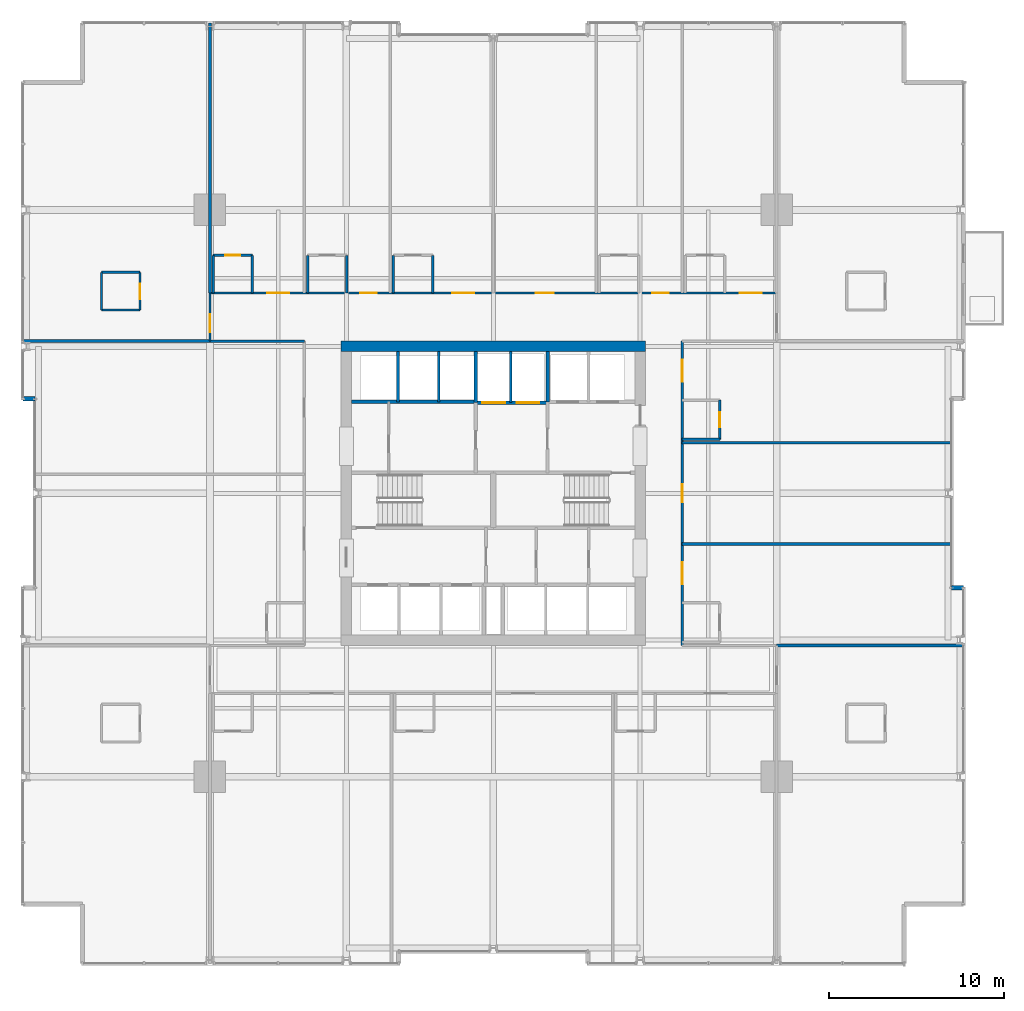
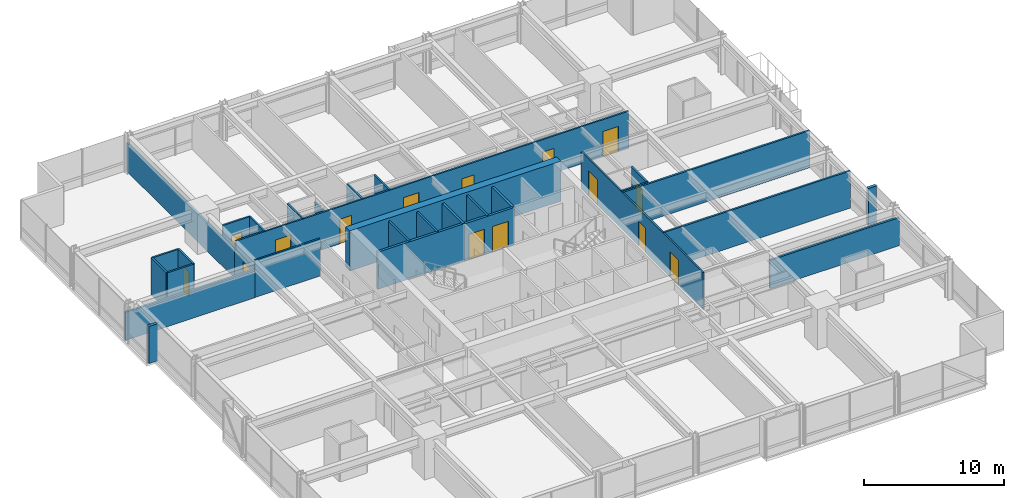
# One storey, part 32 of 38: 32 walls, 15 doors, 15 openings.
"""IFC4 building model written with IfcOpenShell, lengths in metres."""

import ifcopenshell
import ifcopenshell.guid

model = None  # the IFC model being written
_history = None  # IfcOwnerHistory: only IFC2X3 demands one
_inside = {}  # id of a spatial element -> (the spatial element, [elements in it])
_under = {}  # id of a project, library or spatial element -> (it, [spatial elements below it])
_declared = {}  # id of a project -> (the project, [libraries it declares])
_typed = {}  # id of a type object -> (the type object, [elements of that type])
_made_of = {}  # id of a material, layer set ... -> (it, [elements and type objects made of it])


def new_model(schema):
    """Start an empty IFC model of exactly this schema.

    Asked for "IFC4X3", IfcOpenShell would pick the latest addendum, in which some entities
    have other attributes; the version numbers below select the first issue.
    IFC2X3 requires an IfcOwnerHistory on every rooted entity: one is made here for all.
    """
    global model, _history
    if schema == "IFC4X3":
        model = ifcopenshell.file(schema_version=(4, 3, 0, 0))
    else:
        model = ifcopenshell.file(schema=schema)
    _inside.clear()
    _under.clear()
    _declared.clear()
    _typed.clear()
    _made_of.clear()
    _history = None
    if model.schema == "IFC2X3":
        org = make("IfcOrganization", Name="unknown")
        user = make(
            "IfcPersonAndOrganization",
            ThePerson=make("IfcPerson", FamilyName="unknown"),
            TheOrganization=org,
        )
        app = make(
            "IfcApplication",
            ApplicationDeveloper=org,
            Version="unknown",
            ApplicationFullName="unknown",
            ApplicationIdentifier="unknown",
        )
        _history = make(
            "IfcOwnerHistory",
            OwningUser=user,
            OwningApplication=app,
            ChangeAction="ADDED",
            CreationDate=0,
        )
    return model


def make(cls, **values):
    """One entity of the class cls with the attributes given. An attribute that is None is left unset."""
    return model.create_entity(
        cls, **{name: value for name, value in values.items() if value is not None}
    )


def rooted(cls, **values):
    """An entity with a GlobalId (a new one), such as an element, a storey or a relation."""
    return make(cls, GlobalId=ifcopenshell.guid.new(), OwnerHistory=_history, **values)


def si_unit(unit_type, name, prefix=None):
    """IfcSIUnit, for example si_unit("LENGTHUNIT", "METRE", prefix="MILLI")."""
    return make("IfcSIUnit", UnitType=unit_type, Prefix=prefix, Name=name)


def assignment(units):
    """IfcUnitAssignment: the units of a project."""
    return None if units is None else make("IfcUnitAssignment", Units=units)


def point(xyz):
    """IfcCartesianPoint."""
    return None if xyz is None else make("IfcCartesianPoint", Coordinates=xyz)


def direction(xyz):
    """IfcDirection."""
    return None if xyz is None else make("IfcDirection", DirectionRatios=xyz)


def frame(location, z_axis=None, x_axis=None):
    """IfcAxis2Placement3D, a coordinate frame: its origin and axes. An axis left out is left unset."""
    return make(
        "IfcAxis2Placement3D",
        Location=point(location),
        Axis=direction(z_axis),
        RefDirection=direction(x_axis),
    )


def frame_2d(location, x_axis=None):
    """IfcAxis2Placement2D, a coordinate frame in the plane: its origin and x axis."""
    return make(
        "IfcAxis2Placement2D", Location=point(location), RefDirection=direction(x_axis)
    )


def origin():
    """The frame at (0, 0, 0) with its axes left unset."""
    return frame((0.0, 0.0, 0.0))


def place(relative_to, where):
    """IfcLocalPlacement: puts the frame where relative to a parent placement (None: the world)."""
    return make(
        "IfcLocalPlacement", PlacementRelTo=relative_to, RelativePlacement=where
    )


def context(
    kind, dimensions, precision=None, world=None, true_north=None, identifier=None
):
    """IfcGeometricRepresentationContext, for example the 3D "Model" context."""
    return make(
        "IfcGeometricRepresentationContext",
        ContextIdentifier=identifier,
        ContextType=kind,
        CoordinateSpaceDimension=dimensions,
        Precision=precision,
        WorldCoordinateSystem=world,
        TrueNorth=true_north,
    )


def subcontext(parent, identifier, kind, view, scale=None):
    """IfcGeometricRepresentationSubContext, for example "Body" below "Model"."""
    return make(
        "IfcGeometricRepresentationSubContext",
        ContextIdentifier=identifier,
        ContextType=kind,
        ParentContext=parent,
        TargetScale=scale,
        TargetView=view,
    )


def project(units=None, contexts=None):
    """IfcProject with its units and contexts."""
    return rooted(
        "IfcProject",
        Name="project",
        RepresentationContexts=contexts,
        UnitsInContext=assignment(units),
    )


def spatial(cls, under=None, at=None, **own):
    """A site, building, storey or space (cls), placed at a placement, below another one or the project."""
    s = rooted(cls, ObjectPlacement=at, **own)
    if under is not None:
        _under.setdefault(under.id(), (under, []))[1].append(s)
    return s


def profile(cls, at=None, kind="AREA", **sizes):
    """A parametric profile (cls). Its sizes go by their IFC names, for example OverallWidth=200.0."""
    return make(cls, ProfileType=kind, Position=at, **sizes)


def rectangle(**sizes):
    """IfcRectangleProfileDef."""
    return profile("IfcRectangleProfileDef", **sizes)


def extrude(swept, where, along, depth):
    """IfcExtrudedAreaSolid: the profile swept, set in the frame where, extruded along a direction by depth."""
    return make(
        "IfcExtrudedAreaSolid",
        SweptArea=swept,
        Position=where,
        ExtrudedDirection=direction(along),
        Depth=depth,
    )


def shape(context_of_items, identifier, shape_type, items):
    """IfcShapeRepresentation: the items that make up one representation, for example the "Body"."""
    return make(
        "IfcShapeRepresentation",
        ContextOfItems=context_of_items,
        RepresentationIdentifier=identifier,
        RepresentationType=shape_type,
        Items=items,
    )


def material(Name=None, Category=None):
    """IfcMaterial."""
    return make("IfcMaterial", Name=Name, Category=Category)


def layer(
    of_material, thickness, ventilated=None, Name=None, Category=None, Priority=None
):
    """IfcMaterialLayer: one layer of a wall or slab, of a material (None: an air gap)."""
    return make(
        "IfcMaterialLayer",
        Material=of_material,
        LayerThickness=thickness,
        IsVentilated=ventilated,
        Name=Name,
        Category=Category,
        Priority=Priority,
    )


def layer_set(layers, Name=None):
    """IfcMaterialLayerSet."""
    return make("IfcMaterialLayerSet", MaterialLayers=layers, LayerSetName=Name)


def made_of(thing, what):
    """Note that an element or type object is made of a material, layer set ...; save() writes the relation."""
    if what is not None:
        _made_of.setdefault(what.id(), (what, []))[1].append(thing)
    return thing


def type_object(cls, material=None, **own):
    """A type object (cls), such as IfcWallType, which elements share."""
    return made_of(rooted(cls, **own), material)


def element(
    cls,
    number,
    at=None,
    inside=None,
    cuts=None,
    type_object=None,
    material=None,
    context=None,
    identifier="Body",
    shape_type=None,
    held_by="IfcProductDefinitionShape",
    body=None,
    shapes=None,
    **own,
):
    """One element of the class cls, such as IfcWall. Its Tag is "e" and its number.

    at: its placement. inside: the storey or other place that contains it. cuts: it is an
    opening in that element (IfcRelVoidsElement). A single representation is given by context,
    identifier, shape_type and body (its items); several are given by shapes. held_by: the class
    of the entity that holds the representations. save() writes the other relations.
    """
    e = rooted(cls, Tag="e%d" % number, ObjectPlacement=at, **own)
    if body is not None:
        shapes = [shape(context, identifier, shape_type, body)]
    if shapes is not None:
        e.Representation = make(held_by, Representations=shapes)
    if inside is not None:
        _inside.setdefault(inside.id(), (inside, []))[1].append(e)
    if cuts is not None:
        rooted(
            "IfcRelVoidsElement", RelatingBuildingElement=cuts, RelatedOpeningElement=e
        )
    if type_object is not None:
        _typed.setdefault(type_object.id(), (type_object, []))[1].append(e)
    return made_of(e, material)


def fill(opening, filler):
    """IfcRelFillsElement: the door or window that sits in an opening."""
    return rooted(
        "IfcRelFillsElement",
        RelatingOpeningElement=opening,
        RelatedBuildingElement=filler,
    )


def aggregate(whole, parts):
    """IfcRelAggregates: a whole, such as a stair, and the parts it consists of."""
    return rooted("IfcRelAggregates", RelatingObject=whole, RelatedObjects=parts)


def save(model, path):
    """Write the relations noted so far, then the file.

    IfcRelAggregates (storeys below a building ...), IfcRelContainedInSpatialStructure (elements
    in a storey), IfcRelDefinesByType, IfcRelAssociatesMaterial and IfcRelDeclares: one each for
    every whole, place, type object, material and project.
    """
    for whole, parts in _under.values():
        aggregate(whole, parts)
    for where, things in _inside.values():
        rooted(
            "IfcRelContainedInSpatialStructure",
            RelatedElements=things,
            RelatingStructure=where,
        )
    for kind, things in _typed.values():
        rooted("IfcRelDefinesByType", RelatedObjects=things, RelatingType=kind)
    for what, things in _made_of.values():
        rooted("IfcRelAssociatesMaterial", RelatedObjects=things, RelatingMaterial=what)
    for by, libraries in _declared.values():
        rooted("IfcRelDeclares", RelatingContext=by, RelatedDefinitions=libraries)
    model.write(path)


model = new_model("IFC4")

# Units and contexts
model_context = context("Model", 3, precision=1e-05, world=origin(), true_north=direction((0.0, 1.0)))
body_context = subcontext(model_context, "Body", "Model", "MODEL_VIEW")
ifc_project = project(units=[si_unit("LENGTHUNIT", "METRE"), si_unit("AREAUNIT", "SQUARE_METRE"), si_unit("VOLUMEUNIT", "CUBIC_METRE"), si_unit("PLANEANGLEUNIT", "RADIAN"), si_unit("MASSUNIT", "GRAM", prefix="KILO")], contexts=[model_context])

# Site, building, storey
site_placement = place(None, origin())
site = spatial("IfcSite", under=ifc_project, at=site_placement, CompositionType="ELEMENT")
building_placement = place(site_placement, origin())
building = spatial("IfcBuilding", under=site, at=building_placement, Name="Drelvath Grand Hotel", CompositionType="ELEMENT")
storey_placement = place(building_placement, frame((0.0, 0.0, 68.199951171875)))
storey = spatial("IfcBuildingStorey", under=building, at=storey_placement, Name="L16", CompositionType="ELEMENT", Elevation=68.199951171875)

# Wall
ifc_material_1 = material(Name="Concrete C40/50", Category="concrete")
ifc_layer_1 = layer(ifc_material_1, 0.199951171875)
ifc_layer_set_1 = layer_set([ifc_layer_1], Name="Concrete C40/50")
wall_type_1 = type_object("IfcWallType", Name="Core Hoistway Fire Wall 200", PredefinedType="SOLIDWALL", material=ifc_layer_set_1)
wall_1_placement = place(storey_placement, frame((3.10009765625, 32.219970703125, 0.0), z_axis=(0.0, 0.0, 1.0), x_axis=(0.0, 1.0, 0.0)))
element("IfcWall", 1, at=wall_1_placement, inside=storey, type_object=wall_type_1, Name="L16 FSAE Hoistway West Wall", PredefinedType="SOLIDWALL", context=body_context, shape_type="SweptSolid", body=[
    extrude(rectangle(XDim=2.880126953125, YDim=0.199951171875, at=frame_2d((1.43994140625, 0.0))), origin(), (0.0, 0.0, 1.0), 3.239990234375),
])

# Wall, openings, doors
wall_2_placement = place(storey_placement, frame((-1.0, 32.179931640625, 0.0), z_axis=(0.0, 0.0, 1.0), x_axis=(1.0, 0.0, 0.0)))
wall_2 = element("IfcWall", 2, at=wall_2_placement, inside=storey, type_object=wall_type_1, Name="L16 Service Lift Hoistway Wall", PredefinedType="SOLIDWALL", context=body_context, shape_type="SweptSolid", body=[
    extrude(rectangle(XDim=4.10009765625, YDim=0.199951171875, at=frame_2d((2.050048828125, 0.0))), origin(), (0.0, 0.0, 1.0), 3.239990234375),
])
opening_1_placement = place(wall_2_placement, frame((0.3701171875, 0.0, 0.0)))
opening_1 = element("IfcOpeningElement", 3, at=opening_1_placement, cuts=wall_2, Name="Opening LD-SV-2", PredefinedType="OPENING", context=body_context, shape_type="SweptSolid", body=[
    extrude(rectangle(XDim=1.300048828125, YDim=2.199951171875, at=frame_2d((0.64990234375, 1.10009765625))), frame((0.0, 0.10986328125, 0.0), z_axis=(0.0, -1.0, 0.0), x_axis=(1.0, 0.0, 0.0)), (0.0, 0.0, 1.0), 0.219970703125),
])
opening_2_placement = place(wall_2_placement, frame((2.330078125, 0.0, 0.0)))
opening_2 = element("IfcOpeningElement", 4, at=opening_2_placement, cuts=wall_2, Name="Opening LD-SV-1", PredefinedType="OPENING", context=body_context, shape_type="SweptSolid", body=[
    extrude(rectangle(XDim=1.300048828125, YDim=2.199951171875, at=frame_2d((0.64990234375, 1.10009765625))), frame((0.0, 0.10986328125, 0.0), z_axis=(0.0, -1.0, 0.0), x_axis=(1.0, 0.0, 0.0)), (0.0, 0.0, 1.0), 0.219970703125),
])
ifc_material_2 = material(Name="Stainless Steel S355", Category="steel")
door_type_1 = type_object("IfcDoorType", Name="Service Lift Sliding Landing Door 1300x2200", OperationType="NOTDEFINED", PredefinedType="DOOR", material=ifc_material_2)
door_1_placement = place(opening_1_placement, origin())
door_1 = element("IfcDoor", 5, at=door_1_placement, inside=storey, type_object=door_type_1, Name="L16 Lift SV-2 Landing Door", OperationType="SLIDING_TO_LEFT", OverallHeight=2.199951171875, OverallWidth=1.300048828125, PredefinedType="DOOR", context=body_context, shape_type="SweptSolid", body=[
    extrude(rectangle(XDim=1.300048828125, YDim=2.199951171875, at=frame_2d((0.64990234375, 1.10009765625))), frame((0.0, 0.02490234375, 0.0), z_axis=(0.0, -1.0, 0.0), x_axis=(1.0, 0.0, 0.0)), (0.0, 0.0, 1.0), 0.050048828125),
])
fill(opening_1, door_1)
door_2_placement = place(opening_2_placement, origin())
door_2 = element("IfcDoor", 6, at=door_2_placement, inside=storey, type_object=door_type_1, Name="L16 Lift SV-1 Landing Door", OperationType="SLIDING_TO_LEFT", OverallHeight=2.199951171875, OverallWidth=1.300048828125, PredefinedType="DOOR", context=body_context, shape_type="SweptSolid", body=[
    extrude(rectangle(XDim=1.300048828125, YDim=2.199951171875, at=frame_2d((0.64990234375, 1.10009765625))), frame((0.0, 0.02490234375, 0.0), z_axis=(0.0, -1.0, 0.0), x_axis=(1.0, 0.0, 0.0)), (0.0, 0.0, 1.0), 0.050048828125),
])
fill(opening_2, door_2)

# Walls
wall_3_placement = place(storey_placement, frame((-1.0, 32.179931640625, 0.0), z_axis=(0.0, 0.0, 1.0), x_axis=(0.0, 1.0, 0.0)))
element("IfcWall", 7, at=wall_3_placement, inside=storey, type_object=wall_type_1, Name="L16 Service Lift West Wall", PredefinedType="SOLIDWALL", context=body_context, shape_type="SweptSolid", body=[
    extrude(rectangle(XDim=2.920166015625, YDim=0.199951171875, at=frame_2d((1.4599609375, 0.0))), origin(), (0.0, 0.0, 1.0), 3.239990234375),
])
wall_4_placement = place(storey_placement, frame((-8.10009765625, 32.219970703125, 0.0), z_axis=(0.0, 0.0, 1.0), x_axis=(1.0, 0.0, 0.0)))
element("IfcWall", 8, at=wall_4_placement, inside=storey, type_object=wall_type_1, Name="L16 Bank 3 Hoistway Wall", PredefinedType="SOLIDWALL", context=body_context, shape_type="SweptSolid", body=[
    extrude(rectangle(XDim=7.10009765625, YDim=0.199951171875, at=frame_2d((3.550048828125, 0.0))), origin(), (0.0, 0.0, 1.0), 3.239990234375),
])
ifc_material_3 = material(Name="Gypsum Fireboard Partition")
ifc_layer_2 = layer(ifc_material_3, 0.1650390625)
ifc_layer_set_2 = layer_set([ifc_layer_2], Name="Gypsum Fireboard Partition")
wall_type_2 = type_object("IfcWallType", Name="Core Shaft Partition 165", PredefinedType="PARTITIONING", material=ifc_layer_set_2)
wall_5_placement = place(storey_placement, frame((1.0, 32.179931640625, 0.0), z_axis=(0.0, 0.0, 1.0), x_axis=(0.0, 1.0, 0.0)))
element("IfcWall", 9, at=wall_5_placement, inside=storey, type_object=wall_type_2, Name="L16 Service Lift Divider", PredefinedType="PARTITIONING", context=body_context, shape_type="SweptSolid", body=[
    extrude(rectangle(XDim=2.920166015625, YDim=0.1650390625, at=frame_2d((1.4599609375, 0.0))), origin(), (0.0, 0.0, 1.0), 3.239990234375),
])
for number, where, z_axis, x_axis, name in (
    (10, (-5.43994140625, 32.219970703125, 0.0), (0.0, 0.0, 1.0), (0.0, 1.0, 0.0), "L16 Lift PE-7/8 Divider"),
    (11, (-3.1201171875, 32.219970703125, 0.0), (0.0, 0.0, 1.0), (0.0, 1.0, 0.0), "L16 Lift PE-8/9 Divider"),
):
    element("IfcWall", number, at=place(storey_placement, frame(where, z_axis=z_axis, x_axis=x_axis)), inside=storey, type_object=wall_type_2, Name=name, PredefinedType="PARTITIONING", context=body_context, shape_type="SweptSolid", body=[
        extrude(rectangle(XDim=2.880126953125, YDim=0.1650390625, at=frame_2d((1.43994140625, 0.0))), origin(), (0.0, 0.0, 1.0), 3.239990234375),
    ])

# Wall, openings, doors
ifc_layer_3 = layer(ifc_material_3, 0.135009765625)
ifc_layer_set_3 = layer_set([ifc_layer_3], Name="Gypsum Fireboard Partition")
wall_type_3 = type_object("IfcWallType", Name="Corridor Fire Barrier Wall 135", PredefinedType="PARTITIONING", material=ifc_layer_set_3)
wall_6_placement = place(storey_placement, frame((-16.199951171875, 38.449951171875, 0.0), z_axis=(0.0, 0.0, 1.0), x_axis=(1.0, 0.0, 0.0)))
wall_6 = element("IfcWall", 12, at=wall_6_placement, inside=storey, type_object=wall_type_3, Name="L16 North Corridor Wall", PredefinedType="PARTITIONING", context=body_context, shape_type="SweptSolid", body=[
    extrude(rectangle(XDim=32.39990234375, YDim=0.135009765625, at=frame_2d((16.199951171875, 0.0))), origin(), (0.0, 0.0, 1.0), 3.239990234375),
])
opening_3_placement = place(wall_6_placement, frame((3.284912109375, 0.0, 0.0)))
opening_3 = element("IfcOpeningElement", 13, at=opening_3_placement, cuts=wall_6, Name="Opening D-T1G4-033", PredefinedType="OPENING", context=body_context, shape_type="SweptSolid", body=[
    extrude(rectangle(XDim=1.260009765625, YDim=2.199951171875, at=frame_2d((0.6298828125, 1.10009765625))), frame((0.0, 0.077392578125, 0.0), z_axis=(0.0, -1.0, 0.0), x_axis=(1.0, 0.0, 0.0)), (0.0, 0.0, 1.0), 0.155029296875),
])
opening_4_placement = place(wall_6_placement, frame((8.589599609375, 0.0, 0.0)))
opening_4 = element("IfcOpeningElement", 14, at=opening_4_placement, cuts=wall_6, Name="Opening D-T1G4-035", PredefinedType="OPENING", context=body_context, shape_type="SweptSolid", body=[
    extrude(rectangle(XDim=0.9599609375, YDim=2.14990234375, at=frame_2d((0.47998046875, 1.074951171875))), frame((0.0, 0.077392578125, 0.0), z_axis=(0.0, -1.0, 0.0), x_axis=(1.0, 0.0, 0.0)), (0.0, 0.0, 1.0), 0.155029296875),
])
opening_5_placement = place(wall_6_placement, frame((13.839599609375, 0.0, 0.0)))
opening_5 = element("IfcOpeningElement", 15, at=opening_5_placement, cuts=wall_6, Name="Opening D-T1G4-037", PredefinedType="OPENING", context=body_context, shape_type="SweptSolid", body=[
    extrude(rectangle(XDim=1.260009765625, YDim=2.199951171875, at=frame_2d((0.6298828125, 1.10009765625))), frame((0.0, 0.077392578125, 0.0), z_axis=(0.0, -1.0, 0.0), x_axis=(1.0, 0.0, 0.0)), (0.0, 0.0, 1.0), 0.155029296875),
])
opening_6_placement = place(wall_6_placement, frame((18.635498046875, 0.0, 0.0)))
opening_6 = element("IfcOpeningElement", 16, at=opening_6_placement, cuts=wall_6, Name="Opening D-T1G4-038", PredefinedType="OPENING", context=body_context, shape_type="SweptSolid", body=[
    extrude(rectangle(XDim=1.02001953125, YDim=2.14990234375, at=frame_2d((0.510009765625, 1.074951171875))), frame((0.0, 0.077392578125, 0.0), z_axis=(0.0, -1.0, 0.0), x_axis=(1.0, 0.0, 0.0)), (0.0, 0.0, 1.0), 0.155029296875),
])
opening_7_placement = place(wall_6_placement, frame((25.280517578125, 0.0, 0.0)))
opening_7 = element("IfcOpeningElement", 17, at=opening_7_placement, cuts=wall_6, Name="Opening D-T1G4-040", PredefinedType="OPENING", context=body_context, shape_type="SweptSolid", body=[
    extrude(rectangle(XDim=0.9599609375, YDim=2.14990234375, at=frame_2d((0.47998046875, 1.074951171875))), frame((0.0, 0.077392578125, 0.0), z_axis=(0.0, -1.0, 0.0), x_axis=(1.0, 0.0, 0.0)), (0.0, 0.0, 1.0), 0.155029296875),
])
opening_8_placement = place(wall_6_placement, frame((30.284912109375, 0.0, 0.0)))
opening_8 = element("IfcOpeningElement", 18, at=opening_8_placement, cuts=wall_6, Name="Opening D-T1G4-042", PredefinedType="OPENING", context=body_context, shape_type="SweptSolid", body=[
    extrude(rectangle(XDim=1.260009765625, YDim=2.199951171875, at=frame_2d((0.6298828125, 1.10009765625))), frame((0.0, 0.077392578125, 0.0), z_axis=(0.0, -1.0, 0.0), x_axis=(1.0, 0.0, 0.0)), (0.0, 0.0, 1.0), 0.155029296875),
])
ifc_material_4 = material(Name="Hardwood Walnut Timber", Category="wood")
door_type_2 = type_object("IfcDoorType", Name="Amenity Meeting Fire Door 1020x2150", OperationType="NOTDEFINED", PredefinedType="DOOR", material=ifc_material_4)
door_3_placement = place(opening_6_placement, origin())
door_3 = element("IfcDoor", 19, at=door_3_placement, inside=storey, type_object=door_type_2, Name="L16 Quiet Study Salon Entry Door", OperationType="SINGLE_SWING_LEFT", OverallHeight=2.14990234375, OverallWidth=1.02001953125, PredefinedType="DOOR", context=body_context, shape_type="SweptSolid", body=[
    extrude(rectangle(XDim=1.02001953125, YDim=2.14990234375, at=frame_2d((0.510009765625, 1.074951171875))), frame((0.0, 0.02490234375, 0.0), z_axis=(0.0, -1.0, 0.0), x_axis=(1.0, 0.0, 0.0)), (0.0, 0.0, 1.0), 0.050048828125),
])
fill(opening_6, door_3)
door_type_3 = type_object("IfcDoorType", Name="Guestroom Entrance Fire Door 960x2150", OperationType="NOTDEFINED", PredefinedType="DOOR", material=ifc_material_4)
door_4_placement = place(opening_4_placement, origin())
door_4 = element("IfcDoor", 20, at=door_4_placement, inside=storey, type_object=door_type_3, Name="L16 Deluxe Guest Room Entry Door", OperationType="SINGLE_SWING_RIGHT", OverallHeight=2.14990234375, OverallWidth=0.9599609375, PredefinedType="DOOR", context=body_context, shape_type="SweptSolid", body=[
    extrude(rectangle(XDim=0.9599609375, YDim=2.14990234375, at=frame_2d((0.47998046875, 1.074951171875))), frame((0.0, 0.02490234375, 0.0), z_axis=(0.0, -1.0, 0.0), x_axis=(1.0, 0.0, 0.0)), (0.0, 0.0, 1.0), 0.050048828125),
])
fill(opening_4, door_4)
door_5_placement = place(opening_7_placement, origin())
door_5 = element("IfcDoor", 21, at=door_5_placement, inside=storey, type_object=door_type_3, Name="L16 Deluxe Guest Room Entry Door", OperationType="SINGLE_SWING_LEFT", OverallHeight=2.14990234375, OverallWidth=0.9599609375, PredefinedType="DOOR", context=body_context, shape_type="SweptSolid", body=[
    extrude(rectangle(XDim=0.9599609375, YDim=2.14990234375, at=frame_2d((0.47998046875, 1.074951171875))), frame((0.0, 0.02490234375, 0.0), z_axis=(0.0, -1.0, 0.0), x_axis=(1.0, 0.0, 0.0)), (0.0, 0.0, 1.0), 0.050048828125),
])
fill(opening_7, door_5)
door_type_4 = type_object("IfcDoorType", Name="Suite Entrance Fire Door 1260x2200", OperationType="NOTDEFINED", PredefinedType="DOOR", material=ifc_material_4)
door_6_placement = place(opening_3_placement, origin())
door_6 = element("IfcDoor", 22, at=door_6_placement, inside=storey, type_object=door_type_4, Name="L16 Corner Suite Entry Door", OperationType="SINGLE_SWING_RIGHT", OverallHeight=2.199951171875, OverallWidth=1.260009765625, PredefinedType="DOOR", context=body_context, shape_type="SweptSolid", body=[
    extrude(rectangle(XDim=1.260009765625, YDim=2.199951171875, at=frame_2d((0.6298828125, 1.10009765625))), frame((0.0, 0.02490234375, 0.0), z_axis=(0.0, -1.0, 0.0), x_axis=(1.0, 0.0, 0.0)), (0.0, 0.0, 1.0), 0.050048828125),
])
fill(opening_3, door_6)
door_7_placement = place(opening_5_placement, origin())
door_7 = element("IfcDoor", 23, at=door_7_placement, inside=storey, type_object=door_type_4, Name="L16 Corner Suite Entry Door", OperationType="SINGLE_SWING_RIGHT", OverallHeight=2.199951171875, OverallWidth=1.260009765625, PredefinedType="DOOR", context=body_context, shape_type="SweptSolid", body=[
    extrude(rectangle(XDim=1.260009765625, YDim=2.199951171875, at=frame_2d((0.6298828125, 1.10009765625))), frame((0.0, 0.02490234375, 0.0), z_axis=(0.0, -1.0, 0.0), x_axis=(1.0, 0.0, 0.0)), (0.0, 0.0, 1.0), 0.050048828125),
])
fill(opening_5, door_7)
door_8_placement = place(opening_8_placement, origin())
door_8 = element("IfcDoor", 24, at=door_8_placement, inside=storey, type_object=door_type_4, Name="L16 Corner Suite Entry Door", OperationType="SINGLE_SWING_LEFT", OverallHeight=2.199951171875, OverallWidth=1.260009765625, PredefinedType="DOOR", context=body_context, shape_type="SweptSolid", body=[
    extrude(rectangle(XDim=1.260009765625, YDim=2.199951171875, at=frame_2d((0.6298828125, 1.10009765625))), frame((0.0, 0.02490234375, 0.0), z_axis=(0.0, -1.0, 0.0), x_axis=(1.0, 0.0, 0.0)), (0.0, 0.0, 1.0), 0.050048828125),
])
fill(opening_8, door_8)

# Wall
wall_7_placement = place(storey_placement, frame((-16.199951171875, 35.699951171875, 0.0), z_axis=(0.0, 0.0, 1.0), x_axis=(1.0, 0.0, 0.0)))
element("IfcWall", 25, at=wall_7_placement, inside=storey, type_object=wall_type_3, Name="L16 NW Spur Inner Wall", PredefinedType="PARTITIONING", context=body_context, shape_type="SweptSolid", body=[
    extrude(rectangle(XDim=5.39990234375, YDim=0.135009765625, at=frame_2d((2.699951171875, 0.0))), origin(), (0.0, 0.0, 1.0), 3.239990234375),
])

# Wall, openings, doors
wall_8_placement = place(storey_placement, frame((10.800048828125, 18.300048828125, 0.0), z_axis=(0.0, 0.0, 1.0), x_axis=(0.0, 1.0, 0.0)))
wall_8 = element("IfcWall", 26, at=wall_8_placement, inside=storey, type_object=wall_type_3, Name="L16 East Corridor Wall", PredefinedType="PARTITIONING", context=body_context, shape_type="SweptSolid", body=[
    extrude(rectangle(XDim=17.39990234375, YDim=0.135009765625, at=frame_2d((8.699951171875, 0.0))), origin(), (0.0, 0.0, 1.0), 3.239990234375),
])
opening_9_placement = place(wall_8_placement, frame((3.485107421875, 0.0, 0.0)))
opening_9 = element("IfcOpeningElement", 27, at=opening_9_placement, cuts=wall_8, Name="Opening D-T1G4-047", PredefinedType="OPENING", context=body_context, shape_type="SweptSolid", body=[
    extrude(rectangle(XDim=1.260009765625, YDim=2.199951171875, at=frame_2d((0.6298828125, 1.10009765625))), frame((0.0, 0.077392578125, 0.0), z_axis=(0.0, -1.0, 0.0), x_axis=(1.0, 0.0, 0.0)), (0.0, 0.0, 1.0), 0.155029296875),
])
opening_10_placement = place(wall_8_placement, frame((8.18994140625, 0.0, 0.0)))
opening_10 = element("IfcOpeningElement", 28, at=opening_10_placement, cuts=wall_8, Name="Opening D-T1G4-048", PredefinedType="OPENING", context=body_context, shape_type="SweptSolid", body=[
    extrude(rectangle(XDim=1.02001953125, YDim=2.14990234375, at=frame_2d((0.510009765625, 1.074951171875))), frame((0.0, 0.077392578125, 0.0), z_axis=(0.0, -1.0, 0.0), x_axis=(1.0, 0.0, 0.0)), (0.0, 0.0, 1.0), 0.155029296875),
])
opening_11_placement = place(wall_8_placement, frame((15.0849609375, 0.0, 0.0)))
opening_11 = element("IfcOpeningElement", 29, at=opening_11_placement, cuts=wall_8, Name="Opening D-T1G4-050", PredefinedType="OPENING", context=body_context, shape_type="SweptSolid", body=[
    extrude(rectangle(XDim=1.260009765625, YDim=2.199951171875, at=frame_2d((0.6298828125, 1.10009765625))), frame((0.0, 0.077392578125, 0.0), z_axis=(0.0, -1.0, 0.0), x_axis=(1.0, 0.0, 0.0)), (0.0, 0.0, 1.0), 0.155029296875),
])
door_9_placement = place(opening_10_placement, origin())
door_9 = element("IfcDoor", 30, at=door_9_placement, inside=storey, type_object=door_type_2, Name="L16 Hospitality Management Office Entry Door", OperationType="SINGLE_SWING_LEFT", OverallHeight=2.14990234375, OverallWidth=1.02001953125, PredefinedType="DOOR", context=body_context, shape_type="SweptSolid", body=[
    extrude(rectangle(XDim=1.02001953125, YDim=2.14990234375, at=frame_2d((0.510009765625, 1.074951171875))), frame((0.0, 0.02490234375, 0.0), z_axis=(0.0, -1.0, 0.0), x_axis=(1.0, 0.0, 0.0)), (0.0, 0.0, 1.0), 0.050048828125),
])
fill(opening_10, door_9)
door_10_placement = place(opening_9_placement, origin())
door_10 = element("IfcDoor", 31, at=door_10_placement, inside=storey, type_object=door_type_4, Name="L16 Corner Suite Entry Door", OperationType="SINGLE_SWING_RIGHT", OverallHeight=2.199951171875, OverallWidth=1.260009765625, PredefinedType="DOOR", context=body_context, shape_type="SweptSolid", body=[
    extrude(rectangle(XDim=1.260009765625, YDim=2.199951171875, at=frame_2d((0.6298828125, 1.10009765625))), frame((0.0, 0.02490234375, 0.0), z_axis=(0.0, -1.0, 0.0), x_axis=(1.0, 0.0, 0.0)), (0.0, 0.0, 1.0), 0.050048828125),
])
fill(opening_9, door_10)
door_11_placement = place(opening_11_placement, origin())
door_11 = element("IfcDoor", 32, at=door_11_placement, inside=storey, type_object=door_type_4, Name="L16 Corner Suite Entry Door", OperationType="SINGLE_SWING_LEFT", OverallHeight=2.199951171875, OverallWidth=1.260009765625, PredefinedType="DOOR", context=body_context, shape_type="SweptSolid", body=[
    extrude(rectangle(XDim=1.260009765625, YDim=2.199951171875, at=frame_2d((0.6298828125, 1.10009765625))), frame((0.0, 0.02490234375, 0.0), z_axis=(0.0, -1.0, 0.0), x_axis=(1.0, 0.0, 0.0)), (0.0, 0.0, 1.0), 0.050048828125),
])
fill(opening_11, door_11)

# Wall, opening, door
wall_9_placement = place(storey_placement, frame((-16.199951171875, 35.699951171875, 0.0), z_axis=(0.0, 0.0, 1.0), x_axis=(0.0, 1.0, 0.0)))
wall_9 = element("IfcWall", 33, at=wall_9_placement, inside=storey, type_object=wall_type_3, Name="L16 North Corridor West End", PredefinedType="PARTITIONING", context=body_context, shape_type="SweptSolid", body=[
    extrude(rectangle(XDim=2.75, YDim=0.135009765625, at=frame_2d((1.375, 0.0))), origin(), (0.0, 0.0, 1.0), 2.451904296875),
])
opening_12_placement = place(wall_9_placement, frame((0.52001953125, 0.0, 0.0)))
opening_12 = element("IfcOpeningElement", 34, at=opening_12_placement, cuts=wall_9, Name="Opening D-T1G4-023", PredefinedType="OPENING", context=body_context, shape_type="SweptSolid", body=[
    extrude(rectangle(XDim=1.02001953125, YDim=2.14990234375, at=frame_2d((0.510009765625, 1.074951171875))), frame((0.0, 0.077392578125, 0.0), z_axis=(0.0, -1.0, 0.0), x_axis=(1.0, 0.0, 0.0)), (0.0, 0.0, 1.0), 0.155029296875),
])
door_12_placement = place(opening_12_placement, origin())
door_12 = element("IfcDoor", 35, at=door_12_placement, inside=storey, type_object=door_type_2, Name="L16 Corner Suite Entry Door", OperationType="SINGLE_SWING_RIGHT", OverallHeight=2.14990234375, OverallWidth=1.02001953125, PredefinedType="DOOR", context=body_context, shape_type="SweptSolid", body=[
    extrude(rectangle(XDim=1.02001953125, YDim=2.14990234375, at=frame_2d((0.510009765625, 1.074951171875))), frame((0.0, 0.02490234375, 0.0), z_axis=(0.0, -1.0, 0.0), x_axis=(1.0, 0.0, 0.0)), (0.0, 0.0, 1.0), 0.050048828125),
])
fill(opening_12, door_12)

# Walls
ifc_material_5 = material(Name="Moisture-Resistant Gypsum Board")
ifc_layer_4 = layer(ifc_material_5, 0.139892578125)
ifc_layer_set_4 = layer_set([ifc_layer_4], Name="Moisture-Resistant Gypsum Board")
wall_type_4 = type_object("IfcWallType", Name="En-Suite Plumbing Wall 140", PredefinedType="PLUMBINGWALL", material=ifc_layer_set_4)
for number, where, z_axis, x_axis, name in (
    (36, (-22.39990234375, 37.47998046875, 0.0), (0.0, 0.0, 1.0), (1.0, 0.0, 0.0), "L16 Corner En-Suite South"),
    (37, (-22.39990234375, 39.6298828125, 0.0), (0.0, 0.0, 1.0), (1.0, 0.0, 0.0), "L16 Corner En-Suite North"),
):
    element("IfcWall", number, at=place(storey_placement, frame(where, z_axis=z_axis, x_axis=x_axis)), inside=storey, type_object=wall_type_4, Name=name, PredefinedType="PLUMBINGWALL", context=body_context, shape_type="SweptSolid", body=[
        extrude(rectangle(XDim=2.199951171875, YDim=0.139892578125, at=frame_2d((1.10009765625, 0.0))), origin(), (0.0, 0.0, 1.0), 3.239990234375),
    ])
wall_10_placement = place(storey_placement, frame((-22.39990234375, 37.47998046875, 0.0), z_axis=(0.0, 0.0, 1.0), x_axis=(0.0, 1.0, 0.0)))
element("IfcWall", 38, at=wall_10_placement, inside=storey, type_object=wall_type_4, Name="L16 Corner En-Suite West", PredefinedType="PLUMBINGWALL", context=body_context, shape_type="SweptSolid", body=[
    extrude(rectangle(XDim=2.14990234375, YDim=0.139892578125, at=frame_2d((1.074951171875, 0.0))), origin(), (0.0, 0.0, 1.0), 3.239990234375),
])

# Wall, opening, door
wall_11_placement = place(storey_placement, frame((-20.199951171875, 37.47998046875, 0.0), z_axis=(0.0, 0.0, 1.0), x_axis=(0.0, 1.0, 0.0)))
wall_11 = element("IfcWall", 39, at=wall_11_placement, inside=storey, type_object=wall_type_4, Name="L16 Corner En-Suite East", PredefinedType="PLUMBINGWALL", context=body_context, shape_type="SweptSolid", body=[
    extrude(rectangle(XDim=2.14990234375, YDim=0.139892578125, at=frame_2d((1.074951171875, 0.0))), origin(), (0.0, 0.0, 1.0), 3.239990234375),
])
opening_13_placement = place(wall_11_placement, frame((0.6201171875, 0.0, 0.0)))
opening_13 = element("IfcOpeningElement", 40, at=opening_13_placement, cuts=wall_11, Name="Opening D-T1G4-022", PredefinedType="OPENING", context=body_context, shape_type="SweptSolid", body=[
    extrude(rectangle(XDim=0.8798828125, YDim=2.10009765625, at=frame_2d((0.43994140625, 1.050048828125))), frame((0.0, 0.079833984375, 0.0), z_axis=(0.0, -1.0, 0.0), x_axis=(1.0, 0.0, 0.0)), (0.0, 0.0, 1.0), 0.159912109375),
])
door_type_5 = type_object("IfcDoorType", Name="En-Suite Bathroom Door 880x2100", OperationType="NOTDEFINED", PredefinedType="DOOR", material=ifc_material_4)
door_13_placement = place(opening_13_placement, origin())
door_13 = element("IfcDoor", 41, at=door_13_placement, inside=storey, type_object=door_type_5, Name="L16 Corner En-Suite Door", OperationType="SINGLE_SWING_LEFT", OverallHeight=2.10009765625, OverallWidth=0.8798828125, PredefinedType="DOOR", context=body_context, shape_type="SweptSolid", body=[
    extrude(rectangle(XDim=0.8798828125, YDim=2.10009765625, at=frame_2d((0.43994140625, 1.050048828125))), frame((0.0, 0.02490234375, 0.0), z_axis=(0.0, -1.0, 0.0), x_axis=(1.0, 0.0, 0.0)), (0.0, 0.0, 1.0), 0.050048828125),
])
fill(opening_13, door_13)

# Walls
wall_12_placement = place(storey_placement, frame((-16.02001953125, 38.449951171875, 0.0), z_axis=(0.0, 0.0, 1.0), x_axis=(0.0, 1.0, 0.0)))
element("IfcWall", 42, at=wall_12_placement, inside=storey, type_object=wall_type_4, Name="L16 En-Suite Left Wall", PredefinedType="PLUMBINGWALL", context=body_context, shape_type="SweptSolid", body=[
    extrude(rectangle(XDim=2.150146484375, YDim=0.139892578125, at=frame_2d((1.0751953125, 0.0))), origin(), (0.0, 0.0, 1.0), 2.451904296875),
])
wall_13_placement = place(storey_placement, frame((-13.77001953125, 38.449951171875, 0.0), z_axis=(0.0, 0.0, 1.0), x_axis=(0.0, 1.0, 0.0)))
element("IfcWall", 43, at=wall_13_placement, inside=storey, type_object=wall_type_4, Name="L16 En-Suite Right Wall", PredefinedType="PLUMBINGWALL", context=body_context, shape_type="SweptSolid", body=[
    extrude(rectangle(XDim=2.150146484375, YDim=0.139892578125, at=frame_2d((1.0751953125, 0.0))), origin(), (0.0, 0.0, 1.0), 3.239990234375),
])

# Wall, opening, door
wall_14_placement = place(storey_placement, frame((-16.02001953125, 40.60009765625, 0.0), z_axis=(0.0, 0.0, 1.0), x_axis=(1.0, 0.0, 0.0)))
wall_14 = element("IfcWall", 44, at=wall_14_placement, inside=storey, type_object=wall_type_4, Name="L16 En-Suite Front Wall", PredefinedType="PLUMBINGWALL", context=body_context, shape_type="SweptSolid", body=[
    extrude(rectangle(XDim=2.25, YDim=0.139892578125, at=frame_2d((1.125, 0.0))), origin(), (0.0, 0.0, 1.0), 3.239990234375),
])
opening_14_placement = place(wall_14_placement, frame((0.68505859375, 0.0, 0.0)))
opening_14 = element("IfcOpeningElement", 45, at=opening_14_placement, cuts=wall_14, Name="Opening D-T1G4-032", PredefinedType="OPENING", context=body_context, shape_type="SweptSolid", body=[
    extrude(rectangle(XDim=0.8798828125, YDim=2.10009765625, at=frame_2d((0.43994140625, 1.050048828125))), frame((0.0, 0.079833984375, 0.0), z_axis=(0.0, -1.0, 0.0), x_axis=(1.0, 0.0, 0.0)), (0.0, 0.0, 1.0), 0.159912109375),
])
door_14_placement = place(opening_14_placement, origin())
door_14 = element("IfcDoor", 46, at=door_14_placement, inside=storey, type_object=door_type_5, Name="L16 En-Suite Bathroom Door", OperationType="SINGLE_SWING_LEFT", OverallHeight=2.10009765625, OverallWidth=0.8798828125, PredefinedType="DOOR", context=body_context, shape_type="SweptSolid", body=[
    extrude(rectangle(XDim=0.8798828125, YDim=2.10009765625, at=frame_2d((0.43994140625, 1.050048828125))), frame((0.0, 0.02490234375, 0.0), z_axis=(0.0, -1.0, 0.0), x_axis=(1.0, 0.0, 0.0)), (0.0, 0.0, 1.0), 0.050048828125),
])
fill(opening_14, door_14)

# Walls
wall_15_placement = place(storey_placement, frame((-10.6201171875, 38.449951171875, 0.0), z_axis=(0.0, 0.0, 1.0), x_axis=(0.0, 1.0, 0.0)))
element("IfcWall", 47, at=wall_15_placement, inside=storey, type_object=wall_type_4, Name="L16 En-Suite Left Wall", PredefinedType="PLUMBINGWALL", context=body_context, shape_type="SweptSolid", body=[
    extrude(rectangle(XDim=2.150146484375, YDim=0.139892578125, at=frame_2d((1.0751953125, 0.0))), origin(), (0.0, 0.0, 1.0), 3.239990234375),
])
wall_16_placement = place(storey_placement, frame((-8.3701171875, 38.449951171875, 0.0), z_axis=(0.0, 0.0, 1.0), x_axis=(0.0, 1.0, 0.0)))
element("IfcWall", 48, at=wall_16_placement, inside=storey, type_object=wall_type_4, Name="L16 En-Suite Right Wall", PredefinedType="PLUMBINGWALL", context=body_context, shape_type="SweptSolid", body=[
    extrude(rectangle(XDim=2.150146484375, YDim=0.139892578125, at=frame_2d((1.0751953125, 0.0))), origin(), (0.0, 0.0, 1.0), 2.617431640625),
])
for number, where, z_axis, x_axis, name in (
    (49, (-5.7109375, 38.449951171875, 0.0), (0.0, 0.0, 1.0), (0.0, 1.0, 0.0), "L16 En-Suite Left Wall"),
    (50, (-3.4609375, 38.449951171875, 0.0), (0.0, 0.0, 1.0), (0.0, 1.0, 0.0), "L16 En-Suite Right Wall"),
):
    element("IfcWall", number, at=place(storey_placement, frame(where, z_axis=z_axis, x_axis=x_axis)), inside=storey, type_object=wall_type_4, Name=name, PredefinedType="PLUMBINGWALL", context=body_context, shape_type="SweptSolid", body=[
        extrude(rectangle(XDim=2.150146484375, YDim=0.139892578125, at=frame_2d((1.0751953125, 0.0))), origin(), (0.0, 0.0, 1.0), 3.239990234375),
    ])
wall_17_placement = place(storey_placement, frame((10.800048828125, 30.080078125, 0.0), z_axis=(0.0, 0.0, 1.0), x_axis=(1.0, 0.0, 0.0)))
element("IfcWall", 51, at=wall_17_placement, inside=storey, type_object=wall_type_4, Name="L16 En-Suite Left Wall", PredefinedType="PLUMBINGWALL", context=body_context, shape_type="SweptSolid", body=[
    extrude(rectangle(XDim=2.14990234375, YDim=0.139892578125, at=frame_2d((1.074951171875, 0.0))), origin(), (0.0, 0.0, 1.0), 3.239990234375),
])

# Wall, opening, door
wall_18_placement = place(storey_placement, frame((12.949951171875, 30.080078125, 0.0), z_axis=(0.0, 0.0, 1.0), x_axis=(0.0, 1.0, 0.0)))
wall_18 = element("IfcWall", 52, at=wall_18_placement, inside=storey, type_object=wall_type_4, Name="L16 En-Suite Front Wall", PredefinedType="PLUMBINGWALL", context=body_context, shape_type="SweptSolid", body=[
    extrude(rectangle(XDim=2.25, YDim=0.139892578125, at=frame_2d((1.125, 0.0))), origin(), (0.0, 0.0, 1.0), 3.239990234375),
])
opening_15_placement = place(wall_18_placement, frame((0.68505859375, 0.0, 0.0)))
opening_15 = element("IfcOpeningElement", 53, at=opening_15_placement, cuts=wall_18, Name="Opening D-T1G4-049", PredefinedType="OPENING", context=body_context, shape_type="SweptSolid", body=[
    extrude(rectangle(XDim=0.8798828125, YDim=2.10009765625, at=frame_2d((0.43994140625, 1.050048828125))), frame((0.0, 0.079833984375, 0.0), z_axis=(0.0, -1.0, 0.0), x_axis=(1.0, 0.0, 0.0)), (0.0, 0.0, 1.0), 0.159912109375),
])
door_15_placement = place(opening_15_placement, origin())
door_15 = element("IfcDoor", 54, at=door_15_placement, inside=storey, type_object=door_type_5, Name="L16 En-Suite Bathroom Door", OperationType="SINGLE_SWING_RIGHT", OverallHeight=2.10009765625, OverallWidth=0.8798828125, PredefinedType="DOOR", context=body_context, shape_type="SweptSolid", body=[
    extrude(rectangle(XDim=0.8798828125, YDim=2.10009765625, at=frame_2d((0.43994140625, 1.050048828125))), frame((0.0, 0.02490234375, 0.0), z_axis=(0.0, -1.0, 0.0), x_axis=(1.0, 0.0, 0.0)), (0.0, 0.0, 1.0), 0.050048828125),
])
fill(opening_15, door_15)

# Walls
ifc_material_6 = material(Name="Gypsum Acoustic Partition")
ifc_layer_5 = layer(ifc_material_6, 0.14990234375)
ifc_layer_set_5 = layer_set([ifc_layer_5], Name="Gypsum Acoustic Partition")
wall_type_5 = type_object("IfcWallType", Name="Guestroom Demising Wall 150", PredefinedType="PARTITIONING", material=ifc_layer_set_5)
for number, where, z_axis, x_axis, name in (
    (55, (10.800048828125, 24.10009765625, 0.0), (0.0, 0.0, 1.0), (1.0, 0.0, 0.0), "L16 East Demising 1"),
    (56, (10.800048828125, 29.89990234375, 0.0), (0.0, 0.0, 1.0), (1.0, 0.0, 0.0), "L16 East Demising 2"),
):
    element("IfcWall", number, at=place(storey_placement, frame(where, z_axis=z_axis, x_axis=x_axis)), inside=storey, type_object=wall_type_5, Name=name, PredefinedType="PARTITIONING", context=body_context, shape_type="SweptSolid", body=[
        extrude(rectangle(XDim=15.39990234375, YDim=0.14990234375, at=frame_2d((7.699951171875, 0.0))), origin(), (0.0, 0.0, 1.0), 3.239990234375),
    ])
ifc_material_7 = material(Name="Concrete f'c 70 MPa", Category="concrete")
ifc_layer_6 = layer(ifc_material_7, 0.60009765625)
ifc_layer_set_6 = layer_set([ifc_layer_6], Name="Concrete f'c 70 MPa")
wall_type_6 = type_object("IfcWallType", Name="Lower Core RC Shear Wall 600", PredefinedType="SHEAR", material=ifc_layer_set_6)
wall_19_placement = place(storey_placement, frame((-8.699951171875, 35.39990234375, 0.0), z_axis=(0.0, 0.0, 1.0), x_axis=(1.0, 0.0, 0.0)))
element("IfcWall", 57, at=wall_19_placement, inside=storey, type_object=wall_type_6, Name="L16 Central Core Shear Wall N", PredefinedType="SHEAR", context=body_context, shape_type="SweptSolid", body=[
    extrude(rectangle(XDim=17.39990234375, YDim=0.60009765625, at=frame_2d((8.699951171875, 0.0))), origin(), (0.0, 0.0, 1.0), 3.5),
])
ifc_layer_7 = layer(ifc_material_6, 0.1650390625)
ifc_layer_set_7 = layer_set([ifc_layer_7], Name="Gypsum Acoustic Partition")
wall_type_7 = type_object("IfcWallType", Name="Suite Demising Wall 165", PredefinedType="PARTITIONING", material=ifc_layer_set_7)
wall_20_placement = place(storey_placement, frame((-16.199951171875, 38.449951171875, 0.0), z_axis=(0.0, 0.0, 1.0), x_axis=(0.0, 1.0, 0.0)))
element("IfcWall", 58, at=wall_20_placement, inside=storey, type_object=wall_type_7, Name="L16 NW Wing Boundary Wall", PredefinedType="PARTITIONING", context=body_context, shape_type="SweptSolid", body=[
    extrude(rectangle(XDim=15.429931640625, YDim=0.1650390625, at=frame_2d((7.71484375, 0.0))), origin(), (0.0, 0.0, 1.0), 2.451904296875),
])
for number, where, z_axis, x_axis, name in (
    (59, (16.199951171875, 18.300048828125, 0.0), (0.0, 0.0, 1.0), (1.0, 0.0, 0.0), "L16 SE Corner North Wall"),
    (60, (-26.8798828125, 35.699951171875, 0.0), (0.0, 0.0, 1.0), (1.0, 0.0, 0.0), "L16 NW Corner South Wall"),
):
    element("IfcWall", number, at=place(storey_placement, frame(where, z_axis=z_axis, x_axis=x_axis)), inside=storey, type_object=wall_type_7, Name=name, PredefinedType="PARTITIONING", context=body_context, shape_type="SweptSolid", body=[
        extrude(rectangle(XDim=10.679931640625, YDim=0.1650390625, at=frame_2d((5.33984375, 0.0))), origin(), (0.0, 0.0, 1.0), 2.451904296875),
    ])
ifc_material_8 = material(Name="Pale-Metal Insulated Aluminium Spandrel Assembly", Category="aluminium")
ifc_layer_8 = layer(ifc_material_8, 0.239990234375)
ifc_layer_set_8 = layer_set([ifc_layer_8], Name="Pale-Metal Insulated Aluminium Spandrel Assembly")
wall_type_8 = type_object("IfcWallType", Name="Tower Insulated Metal Spandrel Closure Wall 240", PredefinedType="STANDARD", material=ifc_layer_set_8)
for number, where, z_axis, x_axis, name in (
    (61, (-26.199951171875, 32.39990234375, 0.0), (0.0, 0.0, 1.0), (-1.0, 0.0, 0.0), "L16 Notched Corner Return Spandrel Wall RW2"),
    (62, (26.199951171875, 21.60009765625, 0.0), (0.0, 0.0, 1.0), (1.0, 0.0, 0.0), "L16 Notched Corner Return Spandrel Wall RE2"),
):
    element("IfcWall", number, at=place(storey_placement, frame(where, z_axis=z_axis, x_axis=x_axis)), inside=storey, type_object=wall_type_8, Name=name, PredefinedType="STANDARD", context=body_context, shape_type="SweptSolid", body=[
        extrude(rectangle(XDim=0.679931640625, YDim=0.239990234375, at=frame_2d((0.33984375, 0.0))), origin(), (0.0, 0.0, 1.0), 3.239990234375),
    ])

save(model, "model.ifc")
